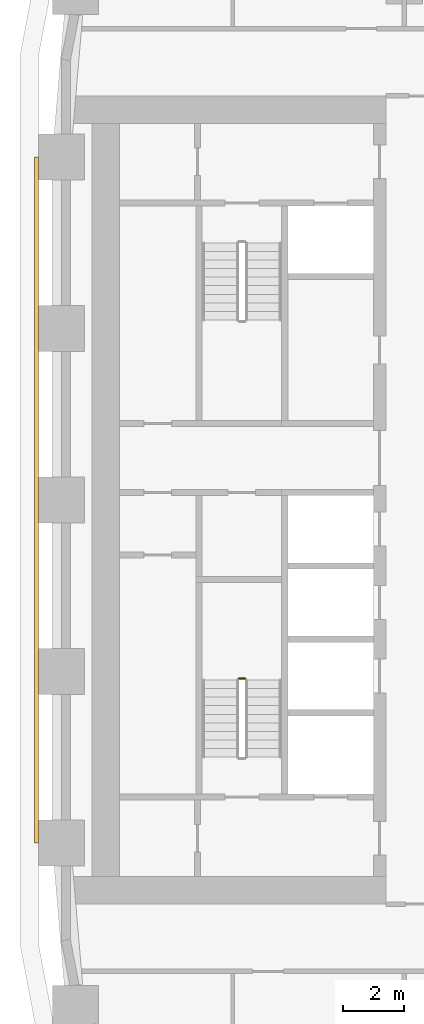
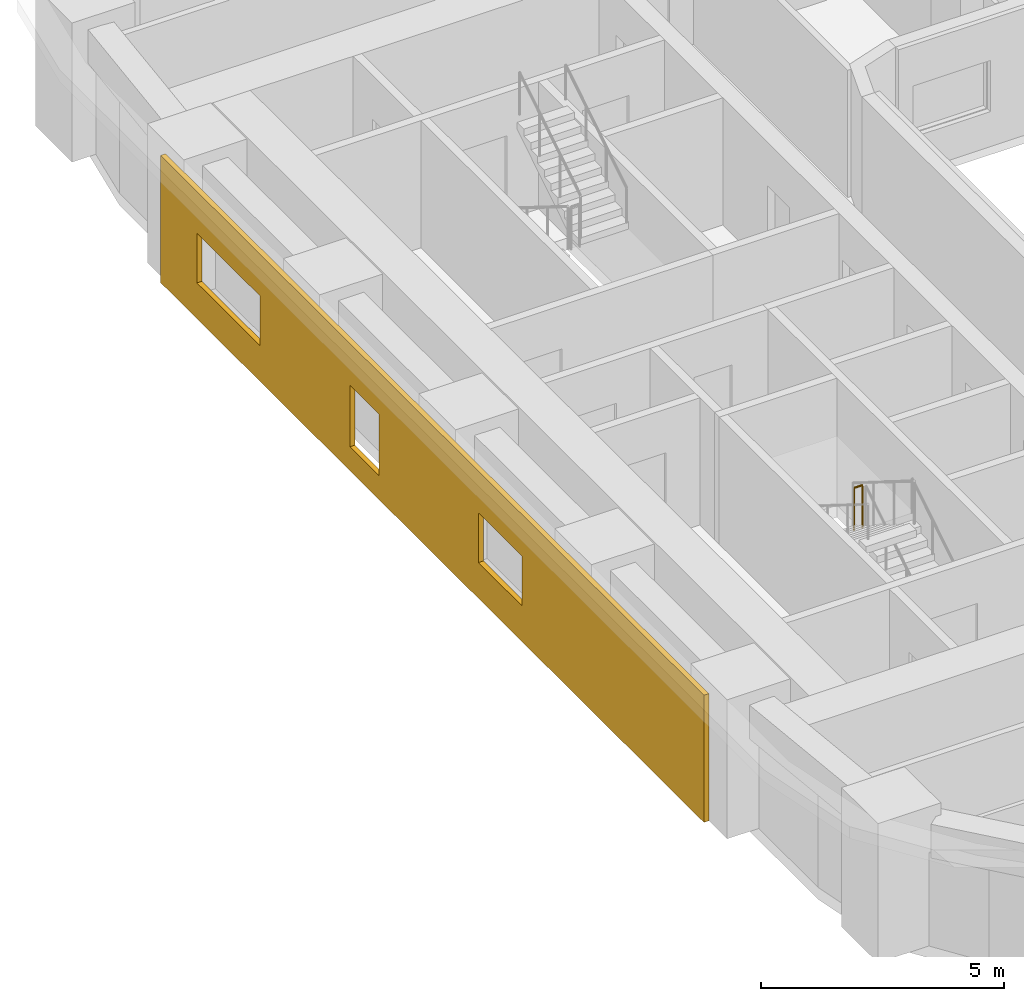
# One storey, part 12 of 21: 1 covering, 1 railing.
"""IFC4 building model written with IfcOpenShell, lengths in metres."""

from ifc_helpers import new_model, si_unit, direction, frame, origin, origin_2d, place, context, subcontext, project, spatial, polyline, circle, outline, extrude, material, layer, layer_set, type_object, element, save


model = new_model("IFC4")

# Units and contexts
model_context = context("Model", 3, precision=1e-05, world=origin(), true_north=direction((0.0, 1.0)))
body_context = subcontext(model_context, "Body", "Model", "MODEL_VIEW")
ifc_project = project(units=[si_unit("LENGTHUNIT", "METRE"), si_unit("AREAUNIT", "SQUARE_METRE"), si_unit("VOLUMEUNIT", "CUBIC_METRE"), si_unit("PLANEANGLEUNIT", "RADIAN"), si_unit("MASSUNIT", "GRAM", prefix="KILO")], contexts=[model_context])

# Site, building, storey
site_placement = place(None, origin())
site = spatial("IfcSite", under=ifc_project, at=site_placement, CompositionType="ELEMENT")
building_placement = place(site_placement, origin())
building = spatial("IfcBuilding", under=site, at=building_placement, Name="Kiln Ring Residences", CompositionType="ELEMENT")
storey_placement = place(building_placement, frame((0.0, 0.0, 34.0)))
storey = spatial("IfcBuildingStorey", under=building, at=storey_placement, Name="L07", CompositionType="ELEMENT", Elevation=34.0)

# Railing
ifc_material_1 = material(Name="Stainless steel", Category="steel")
railing_type = type_object("IfcRailingType", Name="CORE-STAIR-GUARD", PredefinedType="GUARDRAIL", material=ifc_material_1)
railing_placement = place(storey_placement, frame((-22.0, -5.830078125, 1.75)))
element("IfcRailing", 1, at=railing_placement, inside=storey, type_object=railing_type, Name="L07 W-STS stair guard 2", PredefinedType="GUARDRAIL", context=body_context, shape_type="SweptSolid", body=[
    extrude(circle(Radius=0.02392578125, at=origin_2d()), frame((0.0, 0.0, 1.076171875), z_axis=(-1.0, 0.0, 0.0), x_axis=(0.0, -1.0, 0.0)), (0.0, 0.0, 1.0), 0.199951171875),
    extrude(circle(Radius=0.02099609375, at=origin_2d()), origin(), (0.0, 0.0, 1.0), 1.052001953125),
    extrude(circle(Radius=0.02099609375, at=origin_2d()), frame((-0.199951171875, 0.0, 0.0)), (0.0, 0.0, 1.0), 1.052001953125),
])

# Covering
ifc_material_2 = material(Name="Brick masonry, dark clay brick", Category="masonry")
ifc_layer = layer(ifc_material_2, 0.1201171875)
ifc_layer_set = layer_set([ifc_layer], Name="RAINSCREEN PANEL 120")
covering_type = type_object("IfcCoveringType", Name="RAINSCREEN PANEL 120", PredefinedType="CLADDING", material=ifc_layer_set)
covering_placement = place(storey_placement, frame((-28.81005859375, 11.199951171875, 0.0), z_axis=(0.0, 0.0, 1.0), x_axis=(0.0, -1.0, 0.0)))
element("IfcCovering", 2, at=covering_placement, inside=storey, type_object=covering_type, Name="RAINSCREEN L07", PredefinedType="CLADDING", context=body_context, shape_type="SweptSolid", body=[
    extrude(outline(polyline([(0.0, 0.0), (22.39990234375, 0.0), (22.39990234375, 3.199951171875), (0.0, 3.199951171875), (0.0, 0.0)]), holes=[polyline([(9.0, 2.14990234375), (7.800048828125, 2.14990234375), (7.800048828125, 0.60009765625), (9.0, 0.60009765625), (9.0, 2.14990234375)]), polyline([(4.10009765625, 0.89990234375), (4.10009765625, 2.14990234375), (1.5, 2.14990234375), (1.5, 0.89990234375), (4.10009765625, 0.89990234375)]), polyline([(14.89990234375, 0.89990234375), (14.89990234375, 2.14990234375), (13.10009765625, 2.14990234375), (13.10009765625, 0.89990234375), (14.89990234375, 0.89990234375)])]), frame((0.0, 0.06005859375, 0.0), z_axis=(0.0, -1.0, 0.0), x_axis=(1.0, 0.0, 0.0)), (0.0, 0.0, 1.0), 0.1201171875),
])

save(model, "model.ifc")
